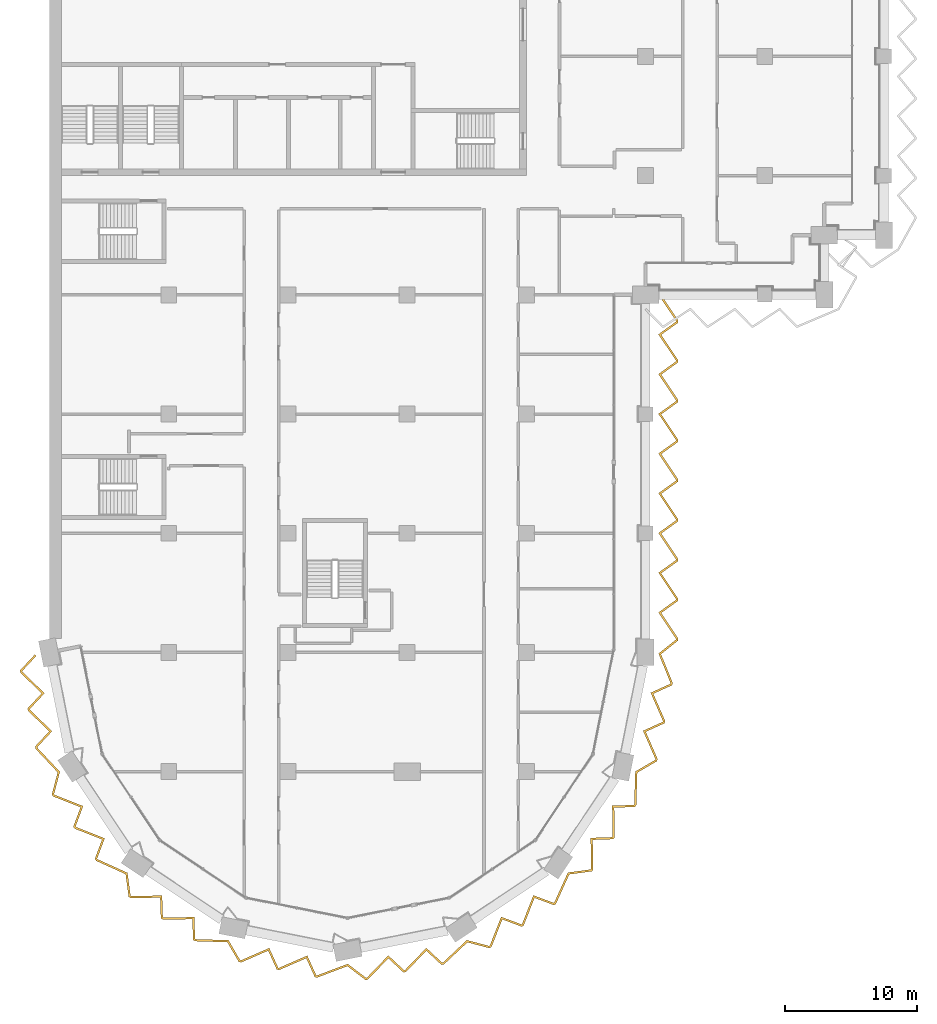
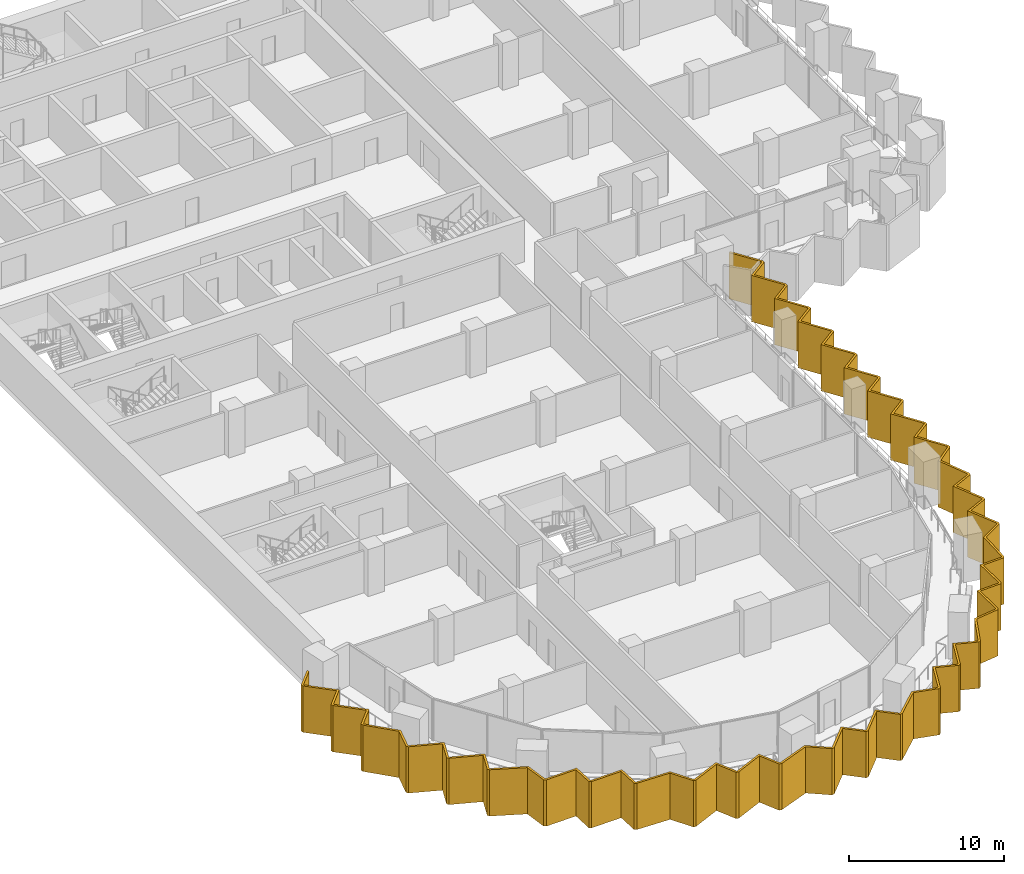
# One storey, part 18 of 22: 1 shading device.
"""IFC4 building model written with IfcOpenShell, lengths in metres."""

from ifc_helpers import new_model, si_unit, direction, frame, origin, place, context, subcontext, project, spatial, polyline, outline, extrude, material, layer, layer_set, type_object, element, save


model = new_model("IFC4")

# Units and contexts
model_context = context("Model", 3, precision=1e-05, world=origin(), true_north=direction((0.0, 1.0)))
body_context = subcontext(model_context, "Body", "Model", "MODEL_VIEW")
ifc_project = project(units=[si_unit("LENGTHUNIT", "METRE"), si_unit("AREAUNIT", "SQUARE_METRE"), si_unit("VOLUMEUNIT", "CUBIC_METRE"), si_unit("PLANEANGLEUNIT", "RADIAN"), si_unit("MASSUNIT", "GRAM", prefix="KILO")], contexts=[model_context])

# Site, building, storey
site_placement = place(None, origin())
site = spatial("IfcSite", under=ifc_project, at=site_placement, CompositionType="ELEMENT")
building_placement = place(site_placement, origin())
building = spatial("IfcBuilding", under=site, at=building_placement, Name="Hunhe Ridgeline Campus", CompositionType="ELEMENT")
storey_placement = place(building_placement, frame((0.0, 0.0, 137.5)))
storey = spatial("IfcBuildingStorey", under=building, at=storey_placement, Name="L34", CompositionType="ELEMENT", Elevation=137.5)

# Shading device
ifc_material = material(Name="Concrete C50", Category="concrete")
ifc_layer = layer(ifc_material, 0.14990234375)
ifc_layer_set = layer_set([ifc_layer], Name="Sawtooth concrete fin 150 Concrete C50")
shading_device_type = type_object("IfcShadingDeviceType", Name="Sawtooth concrete fin 150 Concrete C50", PredefinedType="USERDEFINED", material=ifc_layer_set)
shading_device_placement = place(storey_placement, frame((0.0, 0.0, -0.949951171875)))
element("IfcShadingDevice", 1, at=shading_device_placement, inside=storey, type_object=shading_device_type, Name="Concrete fin screen 1", ObjectType="FIN", PredefinedType="USERDEFINED", context=body_context, shape_type="SweptSolid", body=[
    extrude(outline(polyline([(-0.99951171875, 26.739013671875), (-1.109130859375, 26.841552734375), (-2.22802734375, 25.642578125), (-2.192626953125, 25.46435546875), (-0.588623046875, 23.91748046875), (-1.6572265625, 22.7724609375), (-1.62158203125, 22.59423828125), (-0.017822265625, 21.04736328125), (-1.086181640625, 19.90234375), (-1.051025390625, 19.72607421875), (0.616943359375, 17.94921875), (0.17626953125, 16.279052734375), (0.27490234375, 16.1318359375), (2.3486328125, 15.31640625), (1.799560546875, 13.849853515625), (1.900634765625, 13.698486328125), (3.974365234375, 12.88330078125), (3.42529296875, 11.416748046875), (3.525146484375, 11.26708984375), (5.746337890625, 10.263916015625), (5.978271484375, 8.55224609375), (6.125732421875, 8.453857421875), (8.353515625, 8.494140625), (8.407470703125, 6.92919921875), (8.558837890625, 6.828125), (10.786865234375, 6.868408203125), (10.8408203125, 5.30322265625), (10.990234375, 5.203369140625), (13.42626953125, 5.12646484375), (14.29541015625, 3.634033203125), (14.469482421875, 3.599365234375), (16.512451171875, 4.4892578125), (17.1611328125, 3.06396484375), (17.339599609375, 3.028564453125), (19.382568359375, 3.91845703125), (20.03125, 2.4931640625), (20.207763671875, 2.4580078125), (22.487548828125, 3.319091796875), (23.86181640625, 2.27294921875), (24.03564453125, 2.307373046875), (25.58251953125, 3.911376953125), (26.7275390625, 2.8427734375), (26.90576171875, 2.87841796875), (28.45263671875, 4.482177734375), (29.59765625, 3.413818359375), (29.77392578125, 3.448974609375), (31.55078125, 5.116943359375), (33.220947265625, 4.67626953125), (33.3681640625, 4.77490234375), (34.18359375, 6.8486328125), (35.650146484375, 6.299560546875), (35.801513671875, 6.400634765625), (36.61669921875, 8.474365234375), (38.083251953125, 7.92529296875), (38.23291015625, 8.025146484375), (39.236083984375, 10.246337890625), (40.94775390625, 10.478271484375), (41.046142578125, 10.625732421875), (41.005859375, 12.853515625), (42.57080078125, 12.907470703125), (42.671875, 13.058837890625), (42.631591796875, 15.286865234375), (44.19677734375, 15.3408203125), (44.296630859375, 15.490234375), (44.37353515625, 17.92626953125), (45.865966796875, 18.79541015625), (45.900634765625, 18.969482421875), (45.0107421875, 21.012451171875), (46.43603515625, 21.6611328125), (46.471435546875, 21.839599609375), (45.58154296875, 23.882568359375), (47.0068359375, 24.53125), (47.042236328125, 24.708740234375), (46.16552734375, 26.87060546875), (47.449951171875, 27.89892578125), (47.449951171875, 28.077880859375), (46.177734375, 29.9814453125), (47.449951171875, 30.896484375), (47.449951171875, 31.077880859375), (46.177734375, 32.9814453125), (47.449951171875, 33.896484375), (47.449951171875, 34.077880859375), (46.177734375, 35.9814453125), (47.449951171875, 36.896484375), (47.449951171875, 37.077880859375), (46.177734375, 38.9814453125), (47.449951171875, 39.896484375), (47.449951171875, 40.077880859375), (46.177734375, 41.9814453125), (47.449951171875, 42.896484375), (47.449951171875, 43.077880859375), (46.177734375, 44.9814453125), (47.449951171875, 45.896484375), (47.449951171875, 46.077880859375), (46.177734375, 47.9814453125), (47.449951171875, 48.896484375), (47.449951171875, 49.077880859375), (46.177734375, 50.9814453125), (47.449951171875, 51.896484375), (47.449951171875, 52.077880859375), (46.137451171875, 54.041748046875), (46.0126953125, 53.958251953125), (47.300048828125, 52.0322265625), (47.300048828125, 51.973388671875), (45.972412109375, 51.0185546875), (47.300048828125, 49.0322265625), (47.300048828125, 48.973388671875), (45.972412109375, 48.0185546875), (47.300048828125, 46.0322265625), (47.300048828125, 45.973388671875), (45.972412109375, 45.0185546875), (47.300048828125, 43.0322265625), (47.300048828125, 42.973388671875), (45.972412109375, 42.0185546875), (47.300048828125, 40.0322265625), (47.300048828125, 39.973388671875), (45.972412109375, 39.0185546875), (47.300048828125, 37.0322265625), (47.300048828125, 36.973388671875), (45.972412109375, 36.0185546875), (47.300048828125, 34.0322265625), (47.300048828125, 33.973388671875), (45.972412109375, 33.0185546875), (47.300048828125, 31.0322265625), (47.300048828125, 30.973388671875), (45.972412109375, 30.0185546875), (47.300048828125, 28.0322265625), (47.300048828125, 27.970947265625), (45.984375, 26.917724609375), (46.88623046875, 24.69384765625), (46.874755859375, 24.635986328125), (45.38525390625, 23.957763671875), (46.315185546875, 21.82275390625), (46.303955078125, 21.765869140625), (44.814208984375, 21.087646484375), (45.744384765625, 18.95263671875), (45.732177734375, 18.89111328125), (44.226318359375, 18.01416015625), (44.148193359375, 15.5380859375), (44.11474609375, 15.488037109375), (42.47900390625, 15.431640625), (42.521240234375, 13.10302734375), (42.489013671875, 13.054931640625), (40.853271484375, 12.99853515625), (40.895263671875, 10.669921875), (40.860595703125, 10.617919921875), (39.1337890625, 10.3837890625), (38.114013671875, 8.126220703125), (38.06396484375, 8.0927734375), (36.53125, 8.66650390625), (35.678955078125, 6.499267578125), (35.630859375, 6.467041015625), (34.097900390625, 7.040771484375), (33.245849609375, 4.873291015625), (33.19384765625, 4.838623046875), (31.5087890625, 5.283203125), (29.70263671875, 3.587646484375), (29.643798828125, 3.575927734375), (28.447265625, 4.692626953125), (26.83056640625, 3.016357421875), (26.773681640625, 3.005126953125), (25.5771484375, 4.121826171875), (23.96044921875, 2.4453125), (23.89892578125, 2.43310546875), (22.512451171875, 3.48876953125), (20.19482421875, 2.613525390625), (20.135986328125, 2.625244140625), (19.457763671875, 4.11474609375), (17.32275390625, 3.184814453125), (17.265869140625, 3.196044921875), (16.587646484375, 4.685791015625), (14.45263671875, 3.755615234375), (14.39111328125, 3.767822265625), (13.51416015625, 5.273681640625), (11.0380859375, 5.351806640625), (10.988037109375, 5.38525390625), (10.931640625, 7.02099609375), (8.60302734375, 6.978759765625), (8.554931640625, 7.010986328125), (8.49853515625, 8.646728515625), (6.169921875, 8.604736328125), (6.117919921875, 8.639404296875), (5.8837890625, 10.3662109375), (3.626220703125, 11.385986328125), (3.5927734375, 11.43603515625), (4.16650390625, 12.96875), (1.999267578125, 13.821044921875), (1.967041015625, 13.869140625), (2.540771484375, 15.402099609375), (0.373291015625, 16.254150390625), (0.338623046875, 16.30615234375), (0.783203125, 17.9912109375), (-0.912353515625, 19.79736328125), (-0.924072265625, 19.856201171875), (0.192626953125, 21.052734375), (-1.483642578125, 22.66943359375), (-1.494873046875, 22.726318359375), (-0.378173828125, 23.9228515625), (-2.0546875, 25.53955078125), (-2.06591796875, 25.596435546875), (-0.99951171875, 26.739013671875)])), origin(), (0.0, 0.0, 1.0), 3.64990234375),
])

save(model, "model.ifc")
